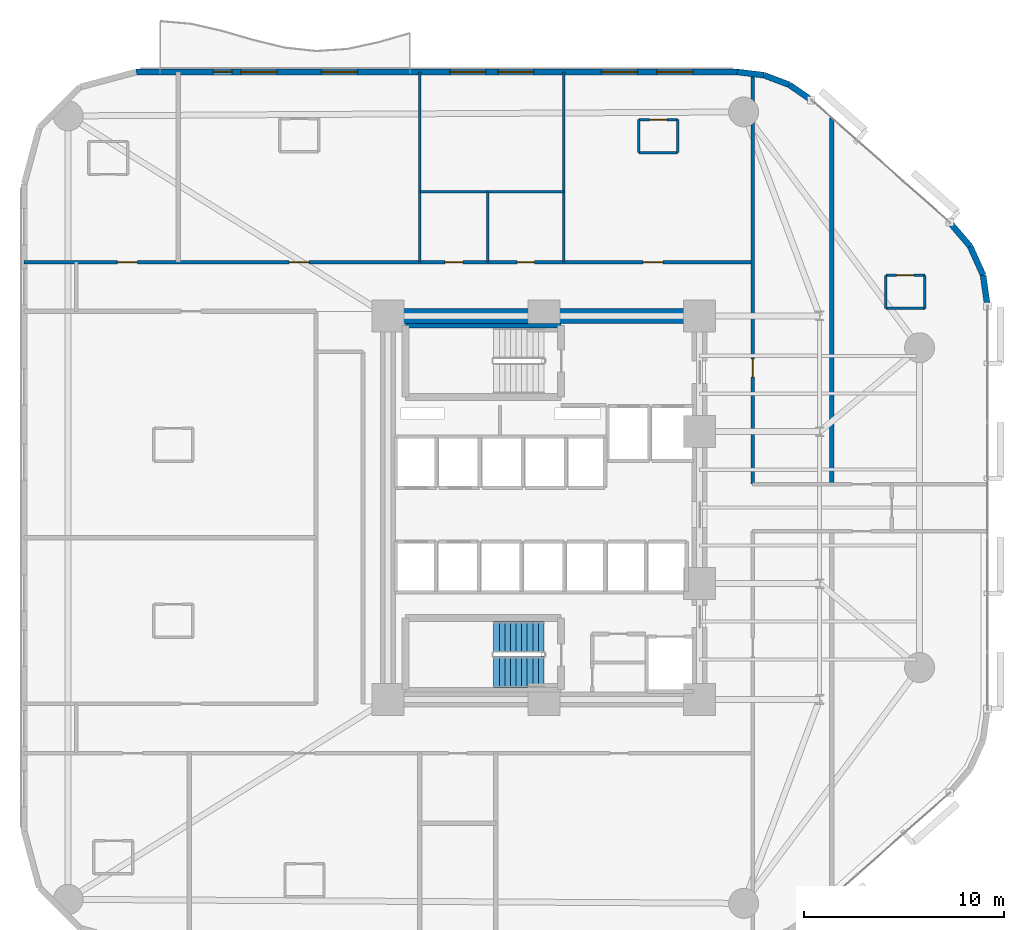
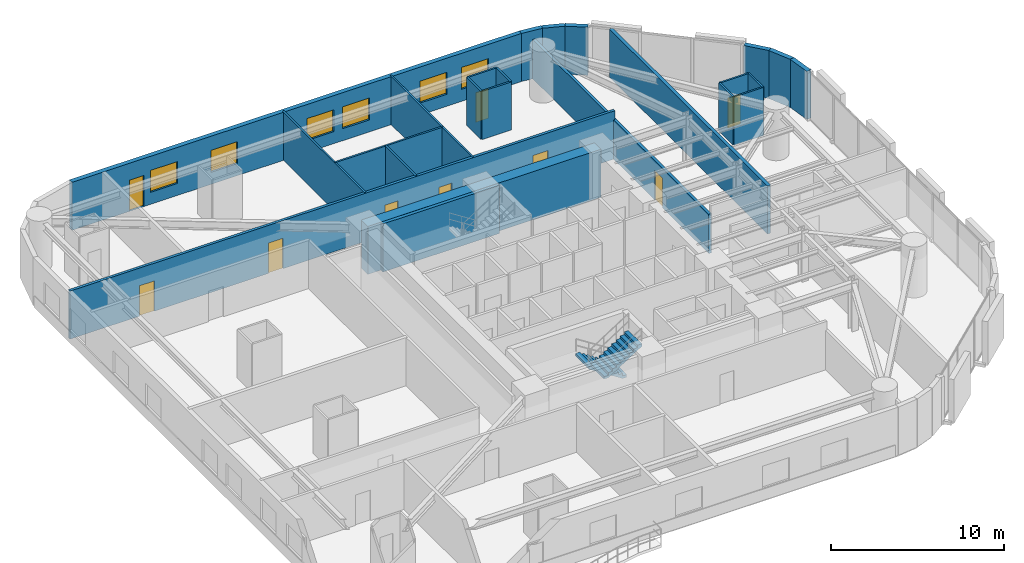
# One storey, part 13 of 17: 24 walls, 9 doors, 6 windows, 2 stair flights, 15 openings, 1 element without a shape of its own.
"""IFC4 building model written with IfcOpenShell, lengths in metres."""

import ifcopenshell
import ifcopenshell.guid

model = None  # the IFC model being written
_history = None  # IfcOwnerHistory: only IFC2X3 demands one
_inside = {}  # id of a spatial element -> (the spatial element, [elements in it])
_under = {}  # id of a project, library or spatial element -> (it, [spatial elements below it])
_declared = {}  # id of a project -> (the project, [libraries it declares])
_typed = {}  # id of a type object -> (the type object, [elements of that type])
_made_of = {}  # id of a material, layer set ... -> (it, [elements and type objects made of it])


def new_model(schema):
    """Start an empty IFC model of exactly this schema.

    Asked for "IFC4X3", IfcOpenShell would pick the latest addendum, in which some entities
    have other attributes; the version numbers below select the first issue.
    IFC2X3 requires an IfcOwnerHistory on every rooted entity: one is made here for all.
    """
    global model, _history
    if schema == "IFC4X3":
        model = ifcopenshell.file(schema_version=(4, 3, 0, 0))
    else:
        model = ifcopenshell.file(schema=schema)
    _inside.clear()
    _under.clear()
    _declared.clear()
    _typed.clear()
    _made_of.clear()
    _history = None
    if model.schema == "IFC2X3":
        org = make("IfcOrganization", Name="unknown")
        user = make(
            "IfcPersonAndOrganization",
            ThePerson=make("IfcPerson", FamilyName="unknown"),
            TheOrganization=org,
        )
        app = make(
            "IfcApplication",
            ApplicationDeveloper=org,
            Version="unknown",
            ApplicationFullName="unknown",
            ApplicationIdentifier="unknown",
        )
        _history = make(
            "IfcOwnerHistory",
            OwningUser=user,
            OwningApplication=app,
            ChangeAction="ADDED",
            CreationDate=0,
        )
    return model


def make(cls, **values):
    """One entity of the class cls with the attributes given. An attribute that is None is left unset."""
    return model.create_entity(
        cls, **{name: value for name, value in values.items() if value is not None}
    )


def rooted(cls, **values):
    """An entity with a GlobalId (a new one), such as an element, a storey or a relation."""
    return make(cls, GlobalId=ifcopenshell.guid.new(), OwnerHistory=_history, **values)


def si_unit(unit_type, name, prefix=None):
    """IfcSIUnit, for example si_unit("LENGTHUNIT", "METRE", prefix="MILLI")."""
    return make("IfcSIUnit", UnitType=unit_type, Prefix=prefix, Name=name)


def assignment(units):
    """IfcUnitAssignment: the units of a project."""
    return None if units is None else make("IfcUnitAssignment", Units=units)


def point(xyz):
    """IfcCartesianPoint."""
    return None if xyz is None else make("IfcCartesianPoint", Coordinates=xyz)


def direction(xyz):
    """IfcDirection."""
    return None if xyz is None else make("IfcDirection", DirectionRatios=xyz)


def frame(location, z_axis=None, x_axis=None):
    """IfcAxis2Placement3D, a coordinate frame: its origin and axes. An axis left out is left unset."""
    return make(
        "IfcAxis2Placement3D",
        Location=point(location),
        Axis=direction(z_axis),
        RefDirection=direction(x_axis),
    )


def frame_2d(location, x_axis=None):
    """IfcAxis2Placement2D, a coordinate frame in the plane: its origin and x axis."""
    return make(
        "IfcAxis2Placement2D", Location=point(location), RefDirection=direction(x_axis)
    )


def origin():
    """The frame at (0, 0, 0) with its axes left unset."""
    return frame((0.0, 0.0, 0.0))


def place(relative_to, where):
    """IfcLocalPlacement: puts the frame where relative to a parent placement (None: the world)."""
    return make(
        "IfcLocalPlacement", PlacementRelTo=relative_to, RelativePlacement=where
    )


def context(
    kind, dimensions, precision=None, world=None, true_north=None, identifier=None
):
    """IfcGeometricRepresentationContext, for example the 3D "Model" context."""
    return make(
        "IfcGeometricRepresentationContext",
        ContextIdentifier=identifier,
        ContextType=kind,
        CoordinateSpaceDimension=dimensions,
        Precision=precision,
        WorldCoordinateSystem=world,
        TrueNorth=true_north,
    )


def subcontext(parent, identifier, kind, view, scale=None):
    """IfcGeometricRepresentationSubContext, for example "Body" below "Model"."""
    return make(
        "IfcGeometricRepresentationSubContext",
        ContextIdentifier=identifier,
        ContextType=kind,
        ParentContext=parent,
        TargetScale=scale,
        TargetView=view,
    )


def project(units=None, contexts=None):
    """IfcProject with its units and contexts."""
    return rooted(
        "IfcProject",
        Name="project",
        RepresentationContexts=contexts,
        UnitsInContext=assignment(units),
    )


def spatial(cls, under=None, at=None, **own):
    """A site, building, storey or space (cls), placed at a placement, below another one or the project."""
    s = rooted(cls, ObjectPlacement=at, **own)
    if under is not None:
        _under.setdefault(under.id(), (under, []))[1].append(s)
    return s


def polyline(points):
    """IfcPolyline through the points."""
    return make("IfcPolyline", Points=[point(p) for p in points])


def profile(cls, at=None, kind="AREA", **sizes):
    """A parametric profile (cls). Its sizes go by their IFC names, for example OverallWidth=200.0."""
    return make(cls, ProfileType=kind, Position=at, **sizes)


def rectangle(**sizes):
    """IfcRectangleProfileDef."""
    return profile("IfcRectangleProfileDef", **sizes)


def outline(outer, holes=None, kind="AREA"):
    """IfcArbitraryClosedProfileDef: a profile drawn as a closed curve; with holes, ...WithVoids."""
    if holes is None:
        return make("IfcArbitraryClosedProfileDef", ProfileType=kind, OuterCurve=outer)
    return make(
        "IfcArbitraryProfileDefWithVoids",
        ProfileType=kind,
        OuterCurve=outer,
        InnerCurves=holes,
    )


def extrude(swept, where, along, depth):
    """IfcExtrudedAreaSolid: the profile swept, set in the frame where, extruded along a direction by depth."""
    return make(
        "IfcExtrudedAreaSolid",
        SweptArea=swept,
        Position=where,
        ExtrudedDirection=direction(along),
        Depth=depth,
    )


def shape(context_of_items, identifier, shape_type, items):
    """IfcShapeRepresentation: the items that make up one representation, for example the "Body"."""
    return make(
        "IfcShapeRepresentation",
        ContextOfItems=context_of_items,
        RepresentationIdentifier=identifier,
        RepresentationType=shape_type,
        Items=items,
    )


def material(Name=None, Category=None):
    """IfcMaterial."""
    return make("IfcMaterial", Name=Name, Category=Category)


def layer(
    of_material, thickness, ventilated=None, Name=None, Category=None, Priority=None
):
    """IfcMaterialLayer: one layer of a wall or slab, of a material (None: an air gap)."""
    return make(
        "IfcMaterialLayer",
        Material=of_material,
        LayerThickness=thickness,
        IsVentilated=ventilated,
        Name=Name,
        Category=Category,
        Priority=Priority,
    )


def layer_set(layers, Name=None):
    """IfcMaterialLayerSet."""
    return make("IfcMaterialLayerSet", MaterialLayers=layers, LayerSetName=Name)


def made_of(thing, what):
    """Note that an element or type object is made of a material, layer set ...; save() writes the relation."""
    if what is not None:
        _made_of.setdefault(what.id(), (what, []))[1].append(thing)
    return thing


def type_object(cls, material=None, **own):
    """A type object (cls), such as IfcWallType, which elements share."""
    return made_of(rooted(cls, **own), material)


def element(
    cls,
    number,
    at=None,
    inside=None,
    cuts=None,
    type_object=None,
    material=None,
    context=None,
    identifier="Body",
    shape_type=None,
    held_by="IfcProductDefinitionShape",
    body=None,
    shapes=None,
    **own,
):
    """One element of the class cls, such as IfcWall. Its Tag is "e" and its number.

    at: its placement. inside: the storey or other place that contains it. cuts: it is an
    opening in that element (IfcRelVoidsElement). A single representation is given by context,
    identifier, shape_type and body (its items); several are given by shapes. held_by: the class
    of the entity that holds the representations. save() writes the other relations.
    """
    e = rooted(cls, Tag="e%d" % number, ObjectPlacement=at, **own)
    if body is not None:
        shapes = [shape(context, identifier, shape_type, body)]
    if shapes is not None:
        e.Representation = make(held_by, Representations=shapes)
    if inside is not None:
        _inside.setdefault(inside.id(), (inside, []))[1].append(e)
    if cuts is not None:
        rooted(
            "IfcRelVoidsElement", RelatingBuildingElement=cuts, RelatedOpeningElement=e
        )
    if type_object is not None:
        _typed.setdefault(type_object.id(), (type_object, []))[1].append(e)
    return made_of(e, material)


def fill(opening, filler):
    """IfcRelFillsElement: the door or window that sits in an opening."""
    return rooted(
        "IfcRelFillsElement",
        RelatingOpeningElement=opening,
        RelatedBuildingElement=filler,
    )


def aggregate(whole, parts):
    """IfcRelAggregates: a whole, such as a stair, and the parts it consists of."""
    return rooted("IfcRelAggregates", RelatingObject=whole, RelatedObjects=parts)


def save(model, path):
    """Write the relations noted so far, then the file.

    IfcRelAggregates (storeys below a building ...), IfcRelContainedInSpatialStructure (elements
    in a storey), IfcRelDefinesByType, IfcRelAssociatesMaterial and IfcRelDeclares: one each for
    every whole, place, type object, material and project.
    """
    for whole, parts in _under.values():
        aggregate(whole, parts)
    for where, things in _inside.values():
        rooted(
            "IfcRelContainedInSpatialStructure",
            RelatedElements=things,
            RelatingStructure=where,
        )
    for kind, things in _typed.values():
        rooted("IfcRelDefinesByType", RelatedObjects=things, RelatingType=kind)
    for what, things in _made_of.values():
        rooted("IfcRelAssociatesMaterial", RelatedObjects=things, RelatingMaterial=what)
    for by, libraries in _declared.values():
        rooted("IfcRelDeclares", RelatingContext=by, RelatedDefinitions=libraries)
    model.write(path)


model = new_model("IFC4")

# Units and contexts
model_context = context("Model", 3, precision=1e-05, world=origin(), true_north=direction((0.0, 1.0)))
body_context = subcontext(model_context, "Body", "Model", "MODEL_VIEW")
ifc_project = project(units=[si_unit("LENGTHUNIT", "METRE"), si_unit("AREAUNIT", "SQUARE_METRE"), si_unit("VOLUMEUNIT", "CUBIC_METRE"), si_unit("PLANEANGLEUNIT", "RADIAN"), si_unit("MASSUNIT", "GRAM", prefix="KILO")], contexts=[model_context])

# Site, building, storey
site_placement = place(None, origin())
site = spatial("IfcSite", under=ifc_project, at=site_placement, CompositionType="ELEMENT")
building_placement = place(site_placement, origin())
building = spatial("IfcBuilding", under=site, at=building_placement, Name="An Khanh Terracotta Commons", CompositionType="ELEMENT")
storey_placement = place(building_placement, frame((0.0, 0.0, 32.39990234375)))
storey = spatial("IfcBuildingStorey", under=building, at=storey_placement, Name="L08", CompositionType="ELEMENT", Elevation=32.39990234375)

# Wall
ifc_material_1 = material(Name="Concrete C70/85", Category="concrete")
ifc_layer_1 = layer(ifc_material_1, 0.75, Name="Concrete C70/85")
ifc_layer_set_1 = layer_set([ifc_layer_1], Name="Concrete C70/85")
wall_type_1 = type_object("IfcWallType", Name="WALL-CORE-750", PredefinedType="SHEAR", material=ifc_layer_set_1)
wall_1_placement = place(storey_placement, frame((21.60009765625, 33.60009765625, 0.0), z_axis=(0.0, 0.0, 1.0), x_axis=(1.0, 0.0, 0.0)))
element("IfcWall", 1, at=wall_1_placement, inside=storey, type_object=wall_type_1, Name="L08 Core Wall CWALL-L08-N", PredefinedType="SHEAR", context=body_context, shape_type="SweptSolid", body=[
    extrude(rectangle(XDim=15.599853515625, YDim=0.75, at=frame_2d((7.7998046875, 0.0))), origin(), (0.0, 0.0, 1.0), 3.400146484375),
])

# Wall, openings, doors
ifc_material_2 = material(Name="Fire-Rated Gypsum Board on Steel Stud", Category="steel")
ifc_layer_2 = layer(ifc_material_2, 0.179931640625, Name="Fire-Rated Gypsum Board on Steel Stud")
ifc_layer_set_2 = layer_set([ifc_layer_2], Name="Fire-Rated Gypsum Board on Steel Stud")
wall_type_2 = type_object("IfcWallType", Name="WALL-CORR-180", PredefinedType="PARTITIONING", material=ifc_layer_set_2)
wall_2_placement = place(storey_placement, frame((3.39990234375, 36.280029296875, 0.0), z_axis=(0.0, 0.0, 1.0), x_axis=(1.0, 0.0, 0.0)))
wall_2 = element("IfcWall", 2, at=wall_2_placement, inside=storey, type_object=wall_type_2, Name="L08 Interior Partition IW-L08-E009", PredefinedType="PARTITIONING", context=body_context, shape_type="SweptSolid", body=[
    extrude(rectangle(XDim=36.4501953125, YDim=0.179931640625, at=frame_2d((18.22509765625, 0.0))), origin(), (0.0, 0.0, 1.0), 3.400146484375),
])
opening_1_placement = place(wall_2_placement, frame((21.050048828125, 0.0, 0.0)))
opening_1 = element("IfcOpeningElement", 3, at=opening_1_placement, cuts=wall_2, Name="Opening D-WC", PredefinedType="OPENING", context=body_context, shape_type="SweptSolid", body=[
    extrude(rectangle(XDim=0.89990234375, YDim=2.10009765625, at=frame_2d((0.449951171875, 1.050048828125))), frame((0.0, 0.099853515625, 0.0), z_axis=(0.0, -1.0, 0.0), x_axis=(1.0, 0.0, 0.0)), (0.0, 0.0, 1.0), 0.199951171875),
])
opening_2_placement = place(wall_2_placement, frame((24.669921875, 0.0, 0.0)))
opening_2 = element("IfcOpeningElement", 4, at=opening_2_placement, cuts=wall_2, Name="Opening D-ENS", PredefinedType="OPENING", context=body_context, shape_type="SweptSolid", body=[
    extrude(rectangle(XDim=0.860107421875, YDim=2.10009765625, at=frame_2d((0.43017578125, 1.050048828125))), frame((0.0, 0.099853515625, 0.0), z_axis=(0.0, -1.0, 0.0), x_axis=(1.0, 0.0, 0.0)), (0.0, 0.0, 1.0), 0.199951171875),
])
opening_3_placement = place(wall_2_placement, frame((4.658935546875, 0.0, 0.0)))
opening_3 = element("IfcOpeningElement", 5, at=opening_3_placement, cuts=wall_2, Name="Opening D-UN", PredefinedType="OPENING", context=body_context, shape_type="SweptSolid", body=[
    extrude(rectangle(XDim=1.0, YDim=2.14990234375, at=frame_2d((0.5, 1.074951171875))), frame((0.0, 0.099853515625, 0.0), z_axis=(0.0, -1.0, 0.0), x_axis=(1.0, 0.0, 0.0)), (0.0, 0.0, 1.0), 0.199951171875),
])
opening_4_placement = place(wall_2_placement, frame((13.258056640625, 0.0, 0.0)))
opening_4 = element("IfcOpeningElement", 6, at=opening_4_placement, cuts=wall_2, Name="Opening D-UN", PredefinedType="OPENING", context=body_context, shape_type="SweptSolid", body=[
    extrude(rectangle(XDim=1.0, YDim=2.14990234375, at=frame_2d((0.5, 1.074951171875))), frame((0.0, 0.099853515625, 0.0), z_axis=(0.0, -1.0, 0.0), x_axis=(1.0, 0.0, 0.0)), (0.0, 0.0, 1.0), 0.199951171875),
])
opening_5_placement = place(wall_2_placement, frame((30.965087890625, 0.0, 0.0)))
opening_5 = element("IfcOpeningElement", 7, at=opening_5_placement, cuts=wall_2, Name="Opening D-UN", PredefinedType="OPENING", context=body_context, shape_type="SweptSolid", body=[
    extrude(rectangle(XDim=1.0, YDim=2.14990234375, at=frame_2d((0.5, 1.074951171875))), frame((0.0, 0.099853515625, 0.0), z_axis=(0.0, -1.0, 0.0), x_axis=(1.0, 0.0, 0.0)), (0.0, 0.0, 1.0), 0.199951171875),
])
ifc_material_3 = material(Name="Moisture-Resistant Hardwood Timber Leaf", Category="wood")
door_type_1 = type_object("IfcDoorType", Name="DOOR-BATH-860", OperationType="NOTDEFINED", PredefinedType="DOOR", material=ifc_material_3)
door_1_placement = place(opening_2_placement, origin())
door_1 = element("IfcDoor", 8, at=door_1_placement, inside=storey, type_object=door_type_1, Name="L08 SHW Resident Shared Shower and Washroom Door", OperationType="SINGLE_SWING_RIGHT", OverallHeight=2.10009765625, OverallWidth=0.860107421875, PredefinedType="DOOR", context=body_context, shape_type="SweptSolid", body=[
    extrude(rectangle(XDim=0.860107421875, YDim=2.10009765625, at=frame_2d((0.43017578125, 1.050048828125))), frame((0.0, 0.02490234375, 0.0), z_axis=(0.0, -1.0, 0.0), x_axis=(1.0, 0.0, 0.0)), (0.0, 0.0, 1.0), 0.050048828125),
])
fill(opening_2, door_1)
ifc_material_4 = material(Name="Solid-Core Hardwood Acoustic Fire Door", Category="wood")
door_type_2 = type_object("IfcDoorType", Name="DOOR-UNIT-1000", OperationType="NOTDEFINED", PredefinedType="DOOR", material=ifc_material_4)
door_2_placement = place(opening_3_placement, origin())
door_2 = element("IfcDoor", 9, at=door_2_placement, inside=storey, type_object=door_type_2, Name="L08 NW1 Kitchenette and Studio Apartment Door", OperationType="SINGLE_SWING_LEFT", OverallHeight=2.14990234375, OverallWidth=1.0, PredefinedType="DOOR", context=body_context, shape_type="SweptSolid", body=[
    extrude(rectangle(XDim=1.0, YDim=2.14990234375, at=frame_2d((0.5, 1.074951171875))), frame((0.0, 0.02490234375, 0.0), z_axis=(0.0, -1.0, 0.0), x_axis=(1.0, 0.0, 0.0)), (0.0, 0.0, 1.0), 0.050048828125),
])
fill(opening_3, door_2)
door_3_placement = place(opening_4_placement, origin())
door_3 = element("IfcDoor", 10, at=door_3_placement, inside=storey, type_object=door_type_2, Name="L08 NW2 Kitchenette and Studio Apartment Door", OperationType="SINGLE_SWING_RIGHT", OverallHeight=2.14990234375, OverallWidth=1.0, PredefinedType="DOOR", context=body_context, shape_type="SweptSolid", body=[
    extrude(rectangle(XDim=1.0, YDim=2.14990234375, at=frame_2d((0.5, 1.074951171875))), frame((0.0, 0.02490234375, 0.0), z_axis=(0.0, -1.0, 0.0), x_axis=(1.0, 0.0, 0.0)), (0.0, 0.0, 1.0), 0.050048828125),
])
fill(opening_4, door_3)
door_4_placement = place(opening_5_placement, origin())
door_4 = element("IfcDoor", 11, at=door_4_placement, inside=storey, type_object=door_type_2, Name="L08 NWE Kitchenette and Studio Apartment Door", OperationType="SINGLE_SWING_LEFT", OverallHeight=2.14990234375, OverallWidth=1.0, PredefinedType="DOOR", context=body_context, shape_type="SweptSolid", body=[
    extrude(rectangle(XDim=1.0, YDim=2.14990234375, at=frame_2d((0.5, 1.074951171875))), frame((0.0, 0.02490234375, 0.0), z_axis=(0.0, -1.0, 0.0), x_axis=(1.0, 0.0, 0.0)), (0.0, 0.0, 1.0), 0.050048828125),
])
fill(opening_5, door_4)
ifc_material_5 = material(Name="Laminate Moisture-Resistant Timber Leaf", Category="wood")
door_type_3 = type_object("IfcDoorType", Name="DOOR-WC-900", OperationType="NOTDEFINED", PredefinedType="DOOR", material=ifc_material_5)
door_5_placement = place(opening_1_placement, origin())
door_5 = element("IfcDoor", 12, at=door_5_placement, inside=storey, type_object=door_type_3, Name="L08 AWC Accessible WC Door", OperationType="SINGLE_SWING_LEFT", OverallHeight=2.10009765625, OverallWidth=0.89990234375, PredefinedType="DOOR", context=body_context, shape_type="SweptSolid", body=[
    extrude(rectangle(XDim=0.89990234375, YDim=2.10009765625, at=frame_2d((0.449951171875, 1.050048828125))), frame((0.0, 0.02490234375, 0.0), z_axis=(0.0, -1.0, 0.0), x_axis=(1.0, 0.0, 0.0)), (0.0, 0.0, 1.0), 0.050048828125),
])
fill(opening_1, door_5)

# Wall, opening, door
wall_3_placement = place(storey_placement, frame((39.85009765625, 25.179931640625, 0.0), z_axis=(0.0, 0.0, 1.0), x_axis=(0.0, 1.0, 0.0)))
wall_3 = element("IfcWall", 13, at=wall_3_placement, inside=storey, type_object=wall_type_2, Name="L08 Interior Partition IW-L08-E023", PredefinedType="PARTITIONING", context=body_context, shape_type="SweptSolid", body=[
    extrude(rectangle(XDim=20.527099609375, YDim=0.179931640625, at=frame_2d((10.263671875, 0.0))), origin(), (0.0, 0.0, 1.0), 2.781982421875),
])
opening_6_placement = place(wall_3_placement, frame((5.35009765625, 0.0, 0.0)))
opening_6 = element("IfcOpeningElement", 14, at=opening_6_placement, cuts=wall_3, Name="Opening D-RM", PredefinedType="OPENING", context=body_context, shape_type="SweptSolid", body=[
    extrude(rectangle(XDim=0.919921875, YDim=2.10009765625, at=frame_2d((0.4599609375, 1.050048828125))), frame((0.0, 0.099853515625, 0.0), z_axis=(0.0, -1.0, 0.0), x_axis=(1.0, 0.0, 0.0)), (0.0, 0.0, 1.0), 0.199951171875),
])
ifc_material_6 = material(Name="Engineered Hardwood Timber Leaf", Category="wood")
door_type_4 = type_object("IfcDoorType", Name="DOOR-INT-920", OperationType="NOTDEFINED", PredefinedType="DOOR", material=ifc_material_6)
door_6_placement = place(opening_6_placement, origin())
door_6 = element("IfcDoor", 15, at=door_6_placement, inside=storey, type_object=door_type_4, Name="L08 NB1 Quiet Focus Office Door", OperationType="SINGLE_SWING_RIGHT", OverallHeight=2.10009765625, OverallWidth=0.919921875, PredefinedType="DOOR", context=body_context, shape_type="SweptSolid", body=[
    extrude(rectangle(XDim=0.919921875, YDim=2.10009765625, at=frame_2d((0.4599609375, 1.050048828125))), frame((0.0, 0.02490234375, 0.0), z_axis=(0.0, -1.0, 0.0), x_axis=(1.0, 0.0, 0.0)), (0.0, 0.0, 1.0), 0.050048828125),
])
fill(opening_6, door_6)

# Walls
ifc_material_7 = material(Name="Precast concrete C40/50", Category="concrete")
ifc_layer_3 = layer(ifc_material_7, 0.300048828125, Name="Precast concrete C40/50")
ifc_layer_set_3 = layer_set([ifc_layer_3], Name="Precast concrete C40/50")
wall_type_3 = type_object("IfcWallType", Name="WALL-EXT-300", PredefinedType="SOLIDWALL", material=ifc_layer_set_3)
wall_4_placement = place(storey_placement, frame((51.60009765625, 34.076904296875, 0.0), z_axis=(0.0, 0.0, 1.0), x_axis=(-0.140380048512, 0.990097693149, 0.0)))
element("IfcWall", 16, at=wall_4_placement, inside=storey, type_object=wall_type_3, Name="L08 Insulated Terracotta Exterior Wall 13", PredefinedType="SOLIDWALL", context=body_context, shape_type="SweptSolid", body=[
    extrude(rectangle(XDim=1.57568359375, YDim=0.300048828125, at=frame_2d((0.787841796875, 0.0))), origin(), (0.0, 0.0, 1.0), 3.400146484375),
])
wall_5_placement = place(storey_placement, frame((51.37890625, 35.636962890625, 0.0), z_axis=(0.0, 0.0, 1.0), x_axis=(-0.410996558744, 0.911636895206, 0.0)))
element("IfcWall", 17, at=wall_5_placement, inside=storey, type_object=wall_type_3, Name="L08 Insulated Terracotta Exterior Wall 14", PredefinedType="SOLIDWALL", context=body_context, shape_type="SweptSolid", body=[
    extrude(rectangle(XDim=1.57421875, YDim=0.300048828125, at=frame_2d((0.787109375, 0.0))), origin(), (0.0, 0.0, 1.0), 3.400146484375),
])
wall_6_placement = place(storey_placement, frame((50.73193359375, 37.072021484375, 0.0), z_axis=(0.0, 0.0, 1.0), x_axis=(-0.648389989909, 0.7613083613, 0.0)))
element("IfcWall", 18, at=wall_6_placement, inside=storey, type_object=wall_type_3, Name="L08 Insulated Terracotta Exterior Wall 15", PredefinedType="SOLIDWALL", context=body_context, shape_type="SweptSolid", body=[
    extrude(rectangle(XDim=1.576171875, YDim=0.300048828125, at=frame_2d((0.7880859375, 0.0))), origin(), (0.0, 0.0, 1.0), 3.400146484375),
])
wall_7_placement = place(storey_placement, frame((42.7890625, 44.39404296875, 0.0), z_axis=(0.0, 0.0, 1.0), x_axis=(-0.823116500192, 0.567872544777, 0.0)))
element("IfcWall", 19, at=wall_7_placement, inside=storey, type_object=wall_type_3, Name="L08 Insulated Terracotta Exterior Wall 17", PredefinedType="SOLIDWALL", context=body_context, shape_type="SweptSolid", body=[
    extrude(rectangle(XDim=1.3486328125, YDim=0.300048828125, at=frame_2d((0.67431640625, 0.0))), origin(), (0.0, 0.0, 1.0), 3.400146484375),
])
wall_8_placement = place(storey_placement, frame((41.678955078125, 45.159912109375, 0.0), z_axis=(0.0, 0.0, 1.0), x_axis=(-0.935156721165, 0.354234254216, 0.0)))
element("IfcWall", 20, at=wall_8_placement, inside=storey, type_object=wall_type_3, Name="L08 Insulated Terracotta Exterior Wall 18", PredefinedType="SOLIDWALL", context=body_context, shape_type="SweptSolid", body=[
    extrude(rectangle(XDim=1.349365234375, YDim=0.300048828125, at=frame_2d((0.6748046875, 0.0))), origin(), (0.0, 0.0, 1.0), 3.400146484375),
])
wall_9_placement = place(storey_placement, frame((40.4169921875, 45.637939453125, 0.0), z_axis=(0.0, 0.0, 1.0), x_axis=(-0.992739027259, 0.120288086515, 0.0)))
element("IfcWall", 21, at=wall_9_placement, inside=storey, type_object=wall_type_3, Name="L08 Insulated Terracotta Exterior Wall 19", PredefinedType="SOLIDWALL", context=body_context, shape_type="SweptSolid", body=[
    extrude(rectangle(XDim=1.34765625, YDim=0.300048828125, at=frame_2d((0.673828125, 0.0))), origin(), (0.0, 0.0, 1.0), 3.400146484375),
])

# Wall, openings, door, windows
wall_10_placement = place(storey_placement, frame((39.0791015625, 45.800048828125, 0.0), z_axis=(0.0, 0.0, 1.0), x_axis=(-1.0, 0.0, 0.0)))
wall_10 = element("IfcWall", 22, at=wall_10_placement, inside=storey, type_object=wall_type_3, Name="L08 Insulated Terracotta Exterior Wall 20", PredefinedType="SOLIDWALL", context=body_context, shape_type="SweptSolid", body=[
    extrude(rectangle(XDim=30.0791015625, YDim=0.300048828125, at=frame_2d((15.03955078125, 0.0))), origin(), (0.0, 0.0, 1.0), 3.400146484375),
])
opening_7_placement = place(wall_10_placement, frame((25.279052734375, 0.0, 0.0)))
opening_7 = element("IfcOpeningElement", 23, at=opening_7_placement, cuts=wall_10, Name="Opening D-BAL", PredefinedType="OPENING", context=body_context, shape_type="SweptSolid", body=[
    extrude(rectangle(XDim=0.949951171875, YDim=2.199951171875, at=frame_2d((0.47509765625, 1.10009765625))), frame((0.0, 0.159912109375, 0.0), z_axis=(0.0, -1.0, 0.0), x_axis=(1.0, 0.0, 0.0)), (0.0, 0.0, 1.0), 0.320068359375),
])
opening_8_placement = place(wall_10_placement, frame((2.22607421875, 0.0, 0.85009765625)))
opening_8 = element("IfcOpeningElement", 24, at=opening_8_placement, cuts=wall_10, Name="Opening W-01", PredefinedType="OPENING", context=body_context, shape_type="SweptSolid", body=[
    extrude(rectangle(XDim=1.800048828125, YDim=1.550048828125, at=frame_2d((0.89990234375, 0.77490234375))), frame((0.0, 0.159912109375, 0.0), z_axis=(0.0, -1.0, 0.0), x_axis=(1.0, 0.0, 0.0)), (0.0, 0.0, 1.0), 0.320068359375),
])
opening_9_placement = place(wall_10_placement, frame((5.0029296875, 0.0, 0.85009765625)))
opening_9 = element("IfcOpeningElement", 25, at=opening_9_placement, cuts=wall_10, Name="Opening W-01", PredefinedType="OPENING", context=body_context, shape_type="SweptSolid", body=[
    extrude(rectangle(XDim=1.800048828125, YDim=1.550048828125, at=frame_2d((0.89990234375, 0.77490234375))), frame((0.0, 0.159912109375, 0.0), z_axis=(0.0, -1.0, 0.0), x_axis=(1.0, 0.0, 0.0)), (0.0, 0.0, 1.0), 0.320068359375),
])
opening_10_placement = place(wall_10_placement, frame((10.178955078125, 0.0, 0.85009765625)))
opening_10 = element("IfcOpeningElement", 26, at=opening_10_placement, cuts=wall_10, Name="Opening W-01", PredefinedType="OPENING", context=body_context, shape_type="SweptSolid", body=[
    extrude(rectangle(XDim=1.800048828125, YDim=1.550048828125, at=frame_2d((0.89990234375, 0.77490234375))), frame((0.0, 0.159912109375, 0.0), z_axis=(0.0, -1.0, 0.0), x_axis=(1.0, 0.0, 0.0)), (0.0, 0.0, 1.0), 0.320068359375),
])
opening_11_placement = place(wall_10_placement, frame((12.5791015625, 0.0, 0.85009765625)))
opening_11 = element("IfcOpeningElement", 27, at=opening_11_placement, cuts=wall_10, Name="Opening W-01", PredefinedType="OPENING", context=body_context, shape_type="SweptSolid", body=[
    extrude(rectangle(XDim=1.800048828125, YDim=1.550048828125, at=frame_2d((0.89990234375, 0.77490234375))), frame((0.0, 0.159912109375, 0.0), z_axis=(0.0, -1.0, 0.0), x_axis=(1.0, 0.0, 0.0)), (0.0, 0.0, 1.0), 0.320068359375),
])
opening_12_placement = place(wall_10_placement, frame((19.007080078125, 0.0, 0.85009765625)))
opening_12 = element("IfcOpeningElement", 28, at=opening_12_placement, cuts=wall_10, Name="Opening W-01", PredefinedType="OPENING", context=body_context, shape_type="SweptSolid", body=[
    extrude(rectangle(XDim=1.800048828125, YDim=1.550048828125, at=frame_2d((0.89990234375, 0.77490234375))), frame((0.0, 0.159912109375, 0.0), z_axis=(0.0, -1.0, 0.0), x_axis=(1.0, 0.0, 0.0)), (0.0, 0.0, 1.0), 0.320068359375),
])
opening_13_placement = place(wall_10_placement, frame((23.033935546875, 0.0, 0.85009765625)))
opening_13 = element("IfcOpeningElement", 29, at=opening_13_placement, cuts=wall_10, Name="Opening W-01", PredefinedType="OPENING", context=body_context, shape_type="SweptSolid", body=[
    extrude(rectangle(XDim=1.800048828125, YDim=1.550048828125, at=frame_2d((0.89990234375, 0.77490234375))), frame((0.0, 0.159912109375, 0.0), z_axis=(0.0, -1.0, 0.0), x_axis=(1.0, 0.0, 0.0)), (0.0, 0.0, 1.0), 0.320068359375),
])
ifc_material_8 = material(Name="Thermally Broken Aluminium and Low-E Glass", Category="aluminium")
door_type_5 = type_object("IfcDoorType", Name="DOOR-BALC-950", OperationType="NOTDEFINED", PredefinedType="DOOR", material=ifc_material_8)
door_7_placement = place(opening_7_placement, origin())
door_7 = element("IfcDoor", 30, at=door_7_placement, inside=storey, type_object=door_type_5, Name="L08 N Wave Balcony Glazed Door", OperationType="SINGLE_SWING_RIGHT", OverallHeight=2.199951171875, OverallWidth=0.949951171875, PredefinedType="DOOR", context=body_context, shape_type="SweptSolid", body=[
    extrude(rectangle(XDim=0.949951171875, YDim=2.199951171875, at=frame_2d((0.47509765625, 1.10009765625))), frame((0.0, 0.02490234375, 0.0), z_axis=(0.0, -1.0, 0.0), x_axis=(1.0, 0.0, 0.0)), (0.0, 0.0, 1.0), 0.050048828125),
])
fill(opening_7, door_7)
window_type = type_object("IfcWindowType", Name="WIN-Z1-1800x1550", PartitioningType="DOUBLE_PANEL_VERTICAL", PredefinedType="WINDOW", material=ifc_material_8)
window_1_placement = place(opening_8_placement, origin())
window_1 = element("IfcWindow", 31, at=window_1_placement, inside=storey, type_object=window_type, Name="L08 Operable Casement Window 20.1", OverallHeight=1.550048828125, OverallWidth=1.800048828125, PartitioningType="DOUBLE_PANEL_VERTICAL", PredefinedType="WINDOW", context=body_context, shape_type="SweptSolid", body=[
    extrude(rectangle(XDim=1.800048828125, YDim=1.550048828125, at=frame_2d((0.89990234375, 0.77490234375))), frame((0.0, 0.030029296875, 0.0), z_axis=(0.0, -1.0, 0.0), x_axis=(1.0, 0.0, 0.0)), (0.0, 0.0, 1.0), 0.06005859375),
])
fill(opening_8, window_1)
window_2_placement = place(opening_9_placement, origin())
window_2 = element("IfcWindow", 32, at=window_2_placement, inside=storey, type_object=window_type, Name="L08 Operable Casement Window 20.2", OverallHeight=1.550048828125, OverallWidth=1.800048828125, PartitioningType="DOUBLE_PANEL_VERTICAL", PredefinedType="WINDOW", context=body_context, shape_type="SweptSolid", body=[
    extrude(rectangle(XDim=1.800048828125, YDim=1.550048828125, at=frame_2d((0.89990234375, 0.77490234375))), frame((0.0, 0.030029296875, 0.0), z_axis=(0.0, -1.0, 0.0), x_axis=(1.0, 0.0, 0.0)), (0.0, 0.0, 1.0), 0.06005859375),
])
fill(opening_9, window_2)
window_3_placement = place(opening_10_placement, origin())
window_3 = element("IfcWindow", 33, at=window_3_placement, inside=storey, type_object=window_type, Name="L08 Operable Casement Window 20.3", OverallHeight=1.550048828125, OverallWidth=1.800048828125, PartitioningType="DOUBLE_PANEL_VERTICAL", PredefinedType="WINDOW", context=body_context, shape_type="SweptSolid", body=[
    extrude(rectangle(XDim=1.800048828125, YDim=1.550048828125, at=frame_2d((0.89990234375, 0.77490234375))), frame((0.0, 0.030029296875, 0.0), z_axis=(0.0, -1.0, 0.0), x_axis=(1.0, 0.0, 0.0)), (0.0, 0.0, 1.0), 0.06005859375),
])
fill(opening_10, window_3)
window_4_placement = place(opening_11_placement, origin())
window_4 = element("IfcWindow", 34, at=window_4_placement, inside=storey, type_object=window_type, Name="L08 Operable Casement Window 20.4", OverallHeight=1.550048828125, OverallWidth=1.800048828125, PartitioningType="DOUBLE_PANEL_VERTICAL", PredefinedType="WINDOW", context=body_context, shape_type="SweptSolid", body=[
    extrude(rectangle(XDim=1.800048828125, YDim=1.550048828125, at=frame_2d((0.89990234375, 0.77490234375))), frame((0.0, 0.030029296875, 0.0), z_axis=(0.0, -1.0, 0.0), x_axis=(1.0, 0.0, 0.0)), (0.0, 0.0, 1.0), 0.06005859375),
])
fill(opening_11, window_4)
window_5_placement = place(opening_12_placement, origin())
window_5 = element("IfcWindow", 35, at=window_5_placement, inside=storey, type_object=window_type, Name="L08 Operable Casement Window 20.5", OverallHeight=1.550048828125, OverallWidth=1.800048828125, PartitioningType="DOUBLE_PANEL_VERTICAL", PredefinedType="WINDOW", context=body_context, shape_type="SweptSolid", body=[
    extrude(rectangle(XDim=1.800048828125, YDim=1.550048828125, at=frame_2d((0.89990234375, 0.77490234375))), frame((0.0, 0.030029296875, 0.0), z_axis=(0.0, -1.0, 0.0), x_axis=(1.0, 0.0, 0.0)), (0.0, 0.0, 1.0), 0.06005859375),
])
fill(opening_12, window_5)
window_6_placement = place(opening_13_placement, origin())
window_6 = element("IfcWindow", 36, at=window_6_placement, inside=storey, type_object=window_type, Name="L08 Operable Casement Window 20.6", OverallHeight=1.550048828125, OverallWidth=1.800048828125, PartitioningType="DOUBLE_PANEL_VERTICAL", PredefinedType="WINDOW", context=body_context, shape_type="SweptSolid", body=[
    extrude(rectangle(XDim=1.800048828125, YDim=1.550048828125, at=frame_2d((0.89990234375, 0.77490234375))), frame((0.0, 0.030029296875, 0.0), z_axis=(0.0, -1.0, 0.0), x_axis=(1.0, 0.0, 0.0)), (0.0, 0.0, 1.0), 0.06005859375),
])
fill(opening_13, window_6)

# Walls
ifc_material_9 = material(Name="Acoustic Double-Stud Gypsum and Mineral Wool")
ifc_layer_4 = layer(ifc_material_9, 0.219970703125, Name="Acoustic Double-Stud Gypsum and Mineral Wool")
ifc_layer_set_4 = layer_set([ifc_layer_4], Name="Acoustic Double-Stud Gypsum and Mineral Wool")
wall_type_4 = type_object("IfcWallType", Name="WALL-PARTY-220", PredefinedType="PARTITIONING", material=ifc_layer_set_4)
wall_11_placement = place(storey_placement, frame((22.47998046875, 33.110107421875, 0.0), z_axis=(0.0, 0.0, 1.0), x_axis=(1.0, 0.0, 0.0)))
element("IfcWall", 37, at=wall_11_placement, inside=storey, type_object=wall_type_4, Name="L08 Core Wall STW-L08-N-N", PredefinedType="PARTITIONING", context=body_context, shape_type="SweptSolid", body=[
    extrude(rectangle(XDim=7.7900390625, YDim=0.219970703125, at=frame_2d((3.89501953125, 0.0))), origin(), (0.0, 0.0, 1.0), 3.400146484375),
])
wall_12_placement = place(storey_placement, frame((43.800048828125, 25.179931640625, 0.0), z_axis=(0.0, 0.0, 1.0), x_axis=(0.0, 1.0, 0.0)))
element("IfcWall", 38, at=wall_12_placement, inside=storey, type_object=wall_type_4, Name="L08 Interior Partition IW-L08-E025", PredefinedType="PARTITIONING", context=body_context, shape_type="SweptSolid", body=[
    extrude(rectangle(XDim=18.320068359375, YDim=0.219970703125, at=frame_2d((9.16015625, 0.0))), origin(), (0.0, 0.0, 1.0), 3.400146484375),
])

# Wall, opening, door
ifc_material_10 = material(Name="Moisture-Resistant Cement Board Partition")
ifc_layer_5 = layer(ifc_material_10, 0.1201171875, Name="Moisture-Resistant Cement Board Partition")
ifc_layer_set_5 = layer_set([ifc_layer_5], Name="Moisture-Resistant Cement Board Partition")
wall_type_5 = type_object("IfcWallType", Name="WALL-WET-120", PredefinedType="PARTITIONING", material=ifc_layer_set_5)
wall_13_placement = place(storey_placement, frame((46.511962890625, 35.6259765625, 0.0), z_axis=(0.0, 0.0, 1.0), x_axis=(1.0, 0.0, 0.0)))
wall_13 = element("IfcWall", 39, at=wall_13_placement, inside=storey, type_object=wall_type_5, Name="L08 Interior Partition IW-L08-ENO1-BN", PredefinedType="PARTITIONING", context=body_context, shape_type="SweptSolid", body=[
    extrude(rectangle(XDim=1.949951171875, YDim=0.1201171875, at=frame_2d((0.97509765625, 0.0))), origin(), (0.0, 0.0, 1.0), 3.400146484375),
])
opening_14_placement = place(wall_13_placement, frame((0.544921875, 0.0, 0.0)))
opening_14 = element("IfcOpeningElement", 40, at=opening_14_placement, cuts=wall_13, Name="Opening D-ENS", PredefinedType="OPENING", context=body_context, shape_type="SweptSolid", body=[
    extrude(rectangle(XDim=0.860107421875, YDim=2.10009765625, at=frame_2d((0.43017578125, 1.050048828125))), frame((0.0, 0.070068359375, 0.0), z_axis=(0.0, -1.0, 0.0), x_axis=(1.0, 0.0, 0.0)), (0.0, 0.0, 1.0), 0.14013671875),
])
door_8_placement = place(opening_14_placement, origin())
door_8 = element("IfcDoor", 41, at=door_8_placement, inside=storey, type_object=door_type_1, Name="L08 Studio ENO1 En-suite Door", OperationType="SINGLE_SWING_LEFT", OverallHeight=2.10009765625, OverallWidth=0.860107421875, PredefinedType="DOOR", context=body_context, shape_type="SweptSolid", body=[
    extrude(rectangle(XDim=0.860107421875, YDim=2.10009765625, at=frame_2d((0.43017578125, 1.050048828125))), frame((0.0, 0.02490234375, 0.0), z_axis=(0.0, -1.0, 0.0), x_axis=(1.0, 0.0, 0.0)), (0.0, 0.0, 1.0), 0.050048828125),
])
fill(opening_14, door_8)

# Walls
wall_14_placement = place(storey_placement, frame((48.4619140625, 33.97607421875, 0.0), z_axis=(0.0, 0.0, 1.0), x_axis=(-1.0, 0.0, 0.0)))
element("IfcWall", 42, at=wall_14_placement, inside=storey, type_object=wall_type_5, Name="L08 Interior Partition IW-L08-ENO1-BS", PredefinedType="PARTITIONING", context=body_context, shape_type="SweptSolid", body=[
    extrude(rectangle(XDim=1.949951171875, YDim=0.1201171875, at=frame_2d((0.97509765625, 0.0))), origin(), (0.0, 0.0, 1.0), 3.400146484375),
])
for number, where, z_axis, x_axis, name in (
    (43, (46.511962890625, 35.6259765625, 0.0), (0.0, 0.0, 1.0), (0.0, -1.0, 0.0), "L08 Interior Partition IW-L08-ENO1-BW"),
    (44, (48.4619140625, 33.97607421875, 0.0), (0.0, 0.0, 1.0), (0.0, 1.0, 0.0), "L08 Interior Partition IW-L08-ENO1-BE"),
):
    element("IfcWall", number, at=place(storey_placement, frame(where, z_axis=z_axis, x_axis=x_axis)), inside=storey, type_object=wall_type_5, Name=name, PredefinedType="PARTITIONING", context=body_context, shape_type="SweptSolid", body=[
        extrude(rectangle(XDim=1.64990234375, YDim=0.1201171875, at=frame_2d((0.824951171875, 0.0))), origin(), (0.0, 0.0, 1.0), 3.400146484375),
    ])

# Wall, opening, door
wall_15_placement = place(storey_placement, frame((34.14990234375, 43.4169921875, 0.0), z_axis=(0.0, 0.0, 1.0), x_axis=(1.0, 0.0, 0.0)))
wall_15 = element("IfcWall", 45, at=wall_15_placement, inside=storey, type_object=wall_type_5, Name="L08 Interior Partition IW-L08-NWE-BN", PredefinedType="PARTITIONING", context=body_context, shape_type="SweptSolid", body=[
    extrude(rectangle(XDim=1.9501953125, YDim=0.1201171875, at=frame_2d((0.97509765625, 0.0))), origin(), (0.0, 0.0, 1.0), 3.400146484375),
])
opening_15_placement = place(wall_15_placement, frame((0.544921875, 0.0, 0.0)))
opening_15 = element("IfcOpeningElement", 46, at=opening_15_placement, cuts=wall_15, Name="Opening D-ENS", PredefinedType="OPENING", context=body_context, shape_type="SweptSolid", body=[
    extrude(rectangle(XDim=0.860107421875, YDim=2.10009765625, at=frame_2d((0.43017578125, 1.050048828125))), frame((0.0, 0.070068359375, 0.0), z_axis=(0.0, -1.0, 0.0), x_axis=(1.0, 0.0, 0.0)), (0.0, 0.0, 1.0), 0.14013671875),
])
door_9_placement = place(opening_15_placement, origin())
door_9 = element("IfcDoor", 47, at=door_9_placement, inside=storey, type_object=door_type_1, Name="L08 Studio NWE En-suite Door", OperationType="SINGLE_SWING_RIGHT", OverallHeight=2.10009765625, OverallWidth=0.860107421875, PredefinedType="DOOR", context=body_context, shape_type="SweptSolid", body=[
    extrude(rectangle(XDim=0.860107421875, YDim=2.10009765625, at=frame_2d((0.43017578125, 1.050048828125))), frame((0.0, 0.02490234375, 0.0), z_axis=(0.0, -1.0, 0.0), x_axis=(1.0, 0.0, 0.0)), (0.0, 0.0, 1.0), 0.050048828125),
])
fill(opening_15, door_9)

# Walls
wall_16_placement = place(storey_placement, frame((36.10009765625, 41.76708984375, 0.0), z_axis=(0.0, 0.0, 1.0), x_axis=(-1.0, 0.0, 0.0)))
element("IfcWall", 48, at=wall_16_placement, inside=storey, type_object=wall_type_5, Name="L08 Interior Partition IW-L08-NWE-BS", PredefinedType="PARTITIONING", context=body_context, shape_type="SweptSolid", body=[
    extrude(rectangle(XDim=1.9501953125, YDim=0.1201171875, at=frame_2d((0.97509765625, 0.0))), origin(), (0.0, 0.0, 1.0), 3.400146484375),
])
for number, where, z_axis, x_axis, name in (
    (49, (34.14990234375, 43.4169921875, 0.0), (0.0, 0.0, 1.0), (0.0, -1.0, 0.0), "L08 Interior Partition IW-L08-NWE-BW"),
    (50, (36.10009765625, 41.76708984375, 0.0), (0.0, 0.0, 1.0), (0.0, 1.0, 0.0), "L08 Interior Partition IW-L08-NWE-BE"),
):
    element("IfcWall", number, at=place(storey_placement, frame(where, z_axis=z_axis, x_axis=x_axis)), inside=storey, type_object=wall_type_5, Name=name, PredefinedType="PARTITIONING", context=body_context, shape_type="SweptSolid", body=[
        extrude(rectangle(XDim=1.64990234375, YDim=0.1201171875, at=frame_2d((0.824951171875, 0.0))), origin(), (0.0, 0.0, 1.0), 3.400146484375),
    ])
wall_17_placement = place(storey_placement, frame((23.199951171875, 39.800048828125, 0.0), z_axis=(0.0, 0.0, 1.0), x_axis=(1.0, 0.0, 0.0)))
element("IfcWall", 51, at=wall_17_placement, inside=storey, type_object=wall_type_5, Name="L08 Interior Partition IW-L08-E010", PredefinedType="PARTITIONING", context=body_context, shape_type="SweptSolid", body=[
    extrude(rectangle(XDim=7.199951171875, YDim=0.1201171875, at=frame_2d((3.60009765625, 0.0))), origin(), (0.0, 0.0, 1.0), 3.400146484375),
])
wall_18_placement = place(storey_placement, frame((23.199951171875, 36.280029296875, 0.0), z_axis=(0.0, 0.0, 1.0), x_axis=(0.0, 1.0, 0.0)))
element("IfcWall", 52, at=wall_18_placement, inside=storey, type_object=wall_type_5, Name="L08 Interior Partition IW-L08-E018", PredefinedType="PARTITIONING", context=body_context, shape_type="SweptSolid", body=[
    extrude(rectangle(XDim=9.52001953125, YDim=0.1201171875, at=frame_2d((4.760009765625, 0.0))), origin(), (0.0, 0.0, 1.0), 3.400146484375),
])
wall_19_placement = place(storey_placement, frame((26.60009765625, 36.280029296875, 0.0), z_axis=(0.0, 0.0, 1.0), x_axis=(0.0, 1.0, 0.0)))
element("IfcWall", 53, at=wall_19_placement, inside=storey, type_object=wall_type_5, Name="L08 Interior Partition IW-L08-E019", PredefinedType="PARTITIONING", context=body_context, shape_type="SweptSolid", body=[
    extrude(rectangle(XDim=3.52001953125, YDim=0.1201171875, at=frame_2d((1.760009765625, 0.0))), origin(), (0.0, 0.0, 1.0), 3.400146484375),
])
wall_20_placement = place(storey_placement, frame((30.39990234375, 36.280029296875, 0.0), z_axis=(0.0, 0.0, 1.0), x_axis=(0.0, 1.0, 0.0)))
element("IfcWall", 54, at=wall_20_placement, inside=storey, type_object=wall_type_5, Name="L08 Interior Partition IW-L08-E021", PredefinedType="PARTITIONING", context=body_context, shape_type="SweptSolid", body=[
    extrude(rectangle(XDim=9.52001953125, YDim=0.1201171875, at=frame_2d((4.760009765625, 0.0))), origin(), (0.0, 0.0, 1.0), 3.400146484375),
])

# Stair, stair flights
stair_type = type_object("IfcStairType", Name="STAIR-CORE-1550", PredefinedType="HALF_TURN_STAIR", material=ifc_material_7)
stair_placement = place(storey_placement, origin())
stair = element("IfcStair", 55, at=stair_placement, inside=storey, type_object=stair_type, Name="L08 Core Smokeproof Exit Stair ST-02", PredefinedType="HALF_TURN_STAIR")
stair_flight_type = type_object("IfcStairFlightType", Name="FLIGHT-CORE-1550", PredefinedType="STRAIGHT", material=ifc_material_7)
stair_flight_1_placement = place(storey_placement, frame((29.409912109375, 17.52490234375, 0.0), z_axis=(0.0, 0.0, 1.0), x_axis=(-1.0, 0.0, 0.0)))
stair_flight_1 = element("IfcStairFlight", 56, at=stair_flight_1_placement, type_object=stair_flight_type, Name="ST-02 flight 1", NumberOfRisers=10, NumberOfTreads=9, PredefinedType="STRAIGHT", RiserHeight=0.18, TreadLength=0.28, context=body_context, shape_type="SweptSolid", body=[
    extrude(outline(polyline([(0.0, 0.0), (0.0, 0.179931640625), (0.280029296875, 0.179931640625), (0.280029296875, 0.360107421875), (0.56005859375, 0.360107421875), (0.56005859375, 0.5400390625), (0.840087890625, 0.5400390625), (0.840087890625, 0.719970703125), (1.1201171875, 0.719970703125), (1.1201171875, 0.89990234375), (1.39990234375, 0.89990234375), (1.39990234375, 1.080078125), (1.679931640625, 1.080078125), (1.679931640625, 1.260009765625), (1.9599609375, 1.260009765625), (1.9599609375, 1.43994140625), (2.239990234375, 1.43994140625), (2.239990234375, 1.6201171875), (2.52001953125, 1.6201171875), (2.52001953125, 1.800048828125), (2.52001953125, 1.44189453125), (0.277099609375, 0.0), (0.0, 0.0)])), frame((0.0, 0.77490234375, 0.0), z_axis=(0.0, -1.0, 0.0), x_axis=(1.0, 0.0, 0.0)), (0.0, 0.0, 1.0), 1.550048828125),
])
stair_flight_2_placement = place(storey_placement, frame((26.889892578125, 15.77490234375, 1.800048828125), z_axis=(0.0, 0.0, 1.0), x_axis=(1.0, 0.0, 0.0)))
stair_flight_2 = element("IfcStairFlight", 57, at=stair_flight_2_placement, type_object=stair_flight_type, Name="ST-02 flight 2", NumberOfRisers=10, NumberOfTreads=9, PredefinedType="STRAIGHT", RiserHeight=0.18, TreadLength=0.28, context=body_context, shape_type="SweptSolid", body=[
    extrude(outline(polyline([(0.0, 0.0), (0.0, 0.179931640625), (0.280029296875, 0.179931640625), (0.280029296875, 0.360107421875), (0.56005859375, 0.360107421875), (0.56005859375, 0.5400390625), (0.840087890625, 0.5400390625), (0.840087890625, 0.719970703125), (1.1201171875, 0.719970703125), (1.1201171875, 0.89990234375), (1.39990234375, 0.89990234375), (1.39990234375, 1.080078125), (1.679931640625, 1.080078125), (1.679931640625, 1.260009765625), (1.9599609375, 1.260009765625), (1.9599609375, 1.43994140625), (2.239990234375, 1.43994140625), (2.239990234375, 1.6201171875), (2.52001953125, 1.6201171875), (2.52001953125, 1.800048828125), (2.52001953125, 1.44189453125), (0.277099609375, 0.0), (0.0, 0.0)])), frame((0.0, 0.77490234375, 0.0), z_axis=(0.0, -1.0, 0.0), x_axis=(1.0, 0.0, 0.0)), (0.0, 0.0, 1.0), 1.550048828125),
])
aggregate(stair, [stair_flight_1, stair_flight_2])

save(model, "model.ifc")
